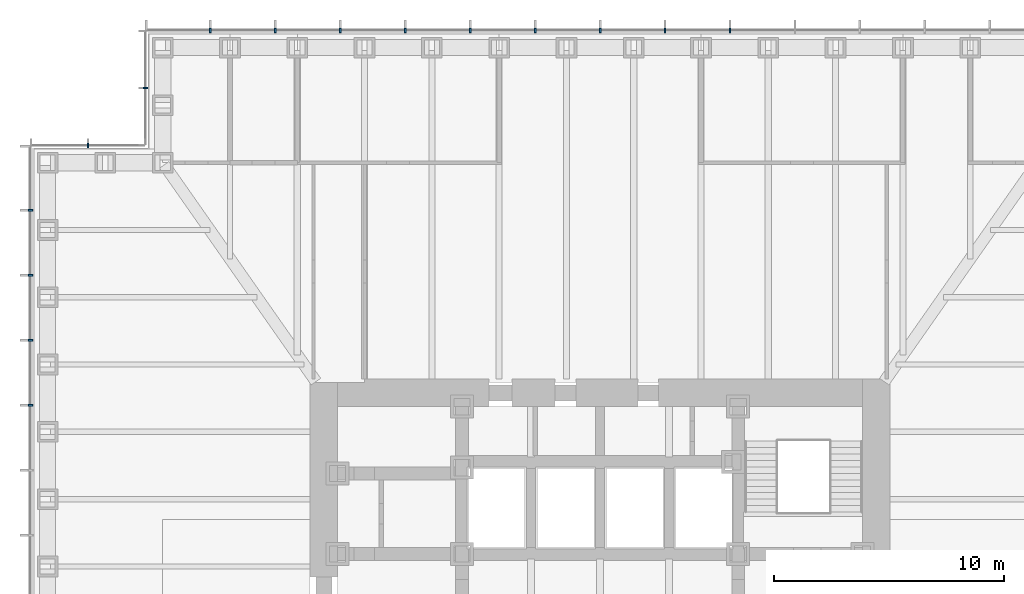
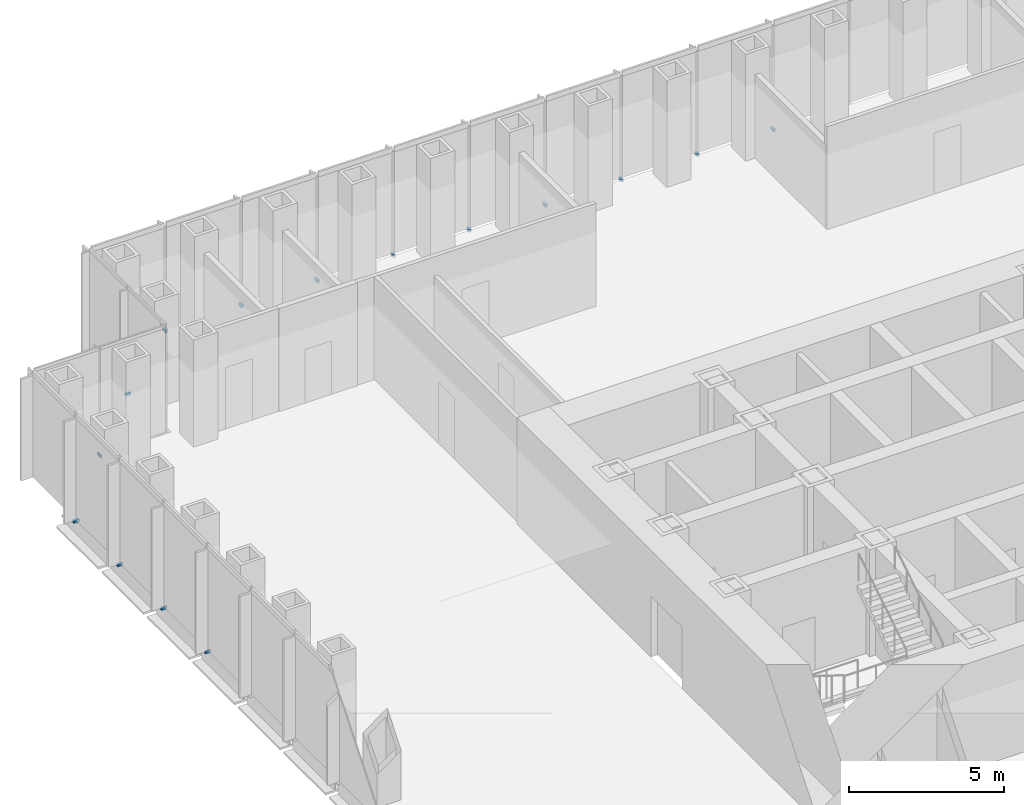
# One storey, part 15 of 17: 15 discrete accessories.
"""IFC4 building model written with IfcOpenShell, lengths in metres."""

from ifc_helpers import new_model, si_unit, direction, frame, origin, origin_2d, place, context, subcontext, project, spatial, rectangle, extrude, element, save


model = new_model("IFC4")

# Units and contexts
model_context = context("Model", 3, precision=1e-05, world=origin(), true_north=direction((0.0, 1.0)))
body_context = subcontext(model_context, "Body", "Model", "MODEL_VIEW")
ifc_project = project(units=[si_unit("LENGTHUNIT", "METRE"), si_unit("AREAUNIT", "SQUARE_METRE"), si_unit("VOLUMEUNIT", "CUBIC_METRE"), si_unit("PLANEANGLEUNIT", "RADIAN"), si_unit("MASSUNIT", "GRAM", prefix="KILO")], contexts=[model_context])

# Site, building, storey
site_placement = place(None, origin())
site = spatial("IfcSite", under=ifc_project, at=site_placement, CompositionType="ELEMENT")
building_placement = place(site_placement, origin())
building = spatial("IfcBuilding", under=site, at=building_placement, Name="Daluyong Arena Tower", CompositionType="ELEMENT")
storey_placement = place(building_placement, frame((0.0, 0.0, 55.89990234375)))
storey = spatial("IfcBuildingStorey", under=building, at=storey_placement, Name="L11", CompositionType="ELEMENT", Elevation=55.89990234375)

# Discrete accessories
for number, where, z_axis, x_axis, name in (
    (1, (61.642822265625, 104.75, -0.099853515625), (0.0, 0.0, 1.0), (-1.0, 0.0, 0.0), "curtain wall L11 N anchor bracket 6"),
    (2, (58.821533203125, 104.75, -0.099853515625), (0.0, 0.0, 1.0), (-1.0, 0.0, 0.0), "curtain wall L11 N anchor bracket 7"),
    (3, (56.0, 104.75, -0.099853515625), (0.0, 0.0, 1.0), (-1.0, 0.0, 0.0), "curtain wall L11 N anchor bracket 8"),
    (4, (53.178466796875, 104.75, -0.099853515625), (0.0, 0.0, 1.0), (-1.0, 0.0, 0.0), "curtain wall L11 N anchor bracket 9"),
    (5, (50.357177734375, 104.75, -0.099853515625), (0.0, 0.0, 1.0), (-1.0, 0.0, 0.0), "curtain wall L11 N anchor bracket 10"),
    (6, (47.53564453125, 104.75, -0.099853515625), (0.0, 0.0, 1.0), (-1.0, 0.0, 0.0), "curtain wall L11 N anchor bracket 11"),
    (7, (44.71435546875, 104.75, -0.099853515625), (0.0, 0.0, 1.0), (-1.0, 0.0, 0.0), "curtain wall L11 N anchor bracket 12"),
    (8, (41.892822265625, 104.75, -0.099853515625), (0.0, 0.0, 1.0), (-1.0, 0.0, 0.0), "curtain wall L11 N anchor bracket 13"),
    (9, (39.071533203125, 104.75, -0.099853515625), (0.0, 0.0, 1.0), (-1.0, 0.0, 0.0), "curtain wall L11 N anchor bracket 14"),
):
    element("IfcDiscreteAccessory", number, at=place(storey_placement, frame(where, z_axis=z_axis, x_axis=x_axis)), inside=storey, Name=name, PredefinedType="BRACKET", context=body_context, shape_type="SweptSolid", body=[
        extrude(rectangle(XDim=0.080078125, YDim=0.199951171875, at=origin_2d()), origin(), (0.0, 0.0, 1.0), 0.10009765625),
    ])
for number, where, z_axis, x_axis, name in (
    (10, (36.25, 102.25, -0.099853515625), (0.0, 0.0, 1.0), (0.0, -1.0, 0.0), "curtain wall L11 NW-W anchor bracket 2"),
    (11, (33.75, 99.75, -0.099853515625), (0.0, 0.0, 1.0), (-1.0, 0.0, 0.0), "curtain wall L11 NW-N anchor bracket 2"),
):
    element("IfcDiscreteAccessory", number, at=place(storey_placement, frame(where, z_axis=z_axis, x_axis=x_axis)), inside=storey, Name=name, PredefinedType="BRACKET", context=body_context, shape_type="SweptSolid", body=[
        extrude(rectangle(XDim=0.06005859375, YDim=0.199951171875, at=origin_2d()), origin(), (0.0, 0.0, 1.0), 0.10009765625),
    ])
for number, where, z_axis, x_axis, name in (
    (12, (31.25, 96.928466796875, -0.099853515625), (0.0, 0.0, 1.0), (0.0, -1.0, 0.0), "curtain wall L11 W anchor bracket 2"),
    (13, (31.25, 94.107177734375, -0.099853515625), (0.0, 0.0, 1.0), (0.0, -1.0, 0.0), "curtain wall L11 W anchor bracket 3"),
    (14, (31.25, 91.28564453125, -0.099853515625), (0.0, 0.0, 1.0), (0.0, -1.0, 0.0), "curtain wall L11 W anchor bracket 4"),
    (15, (31.25, 88.46435546875, -0.099853515625), (0.0, 0.0, 1.0), (0.0, -1.0, 0.0), "curtain wall L11 W anchor bracket 5"),
):
    element("IfcDiscreteAccessory", number, at=place(storey_placement, frame(where, z_axis=z_axis, x_axis=x_axis)), inside=storey, Name=name, PredefinedType="BRACKET", context=body_context, shape_type="SweptSolid", body=[
        extrude(rectangle(XDim=0.080078125, YDim=0.199951171875, at=origin_2d()), origin(), (0.0, 0.0, 1.0), 0.10009765625),
    ])

save(model, "model.ifc")
